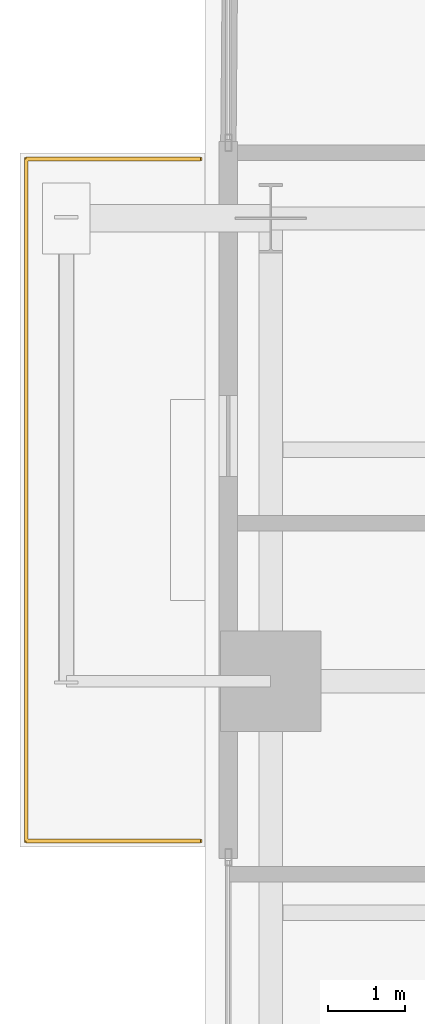
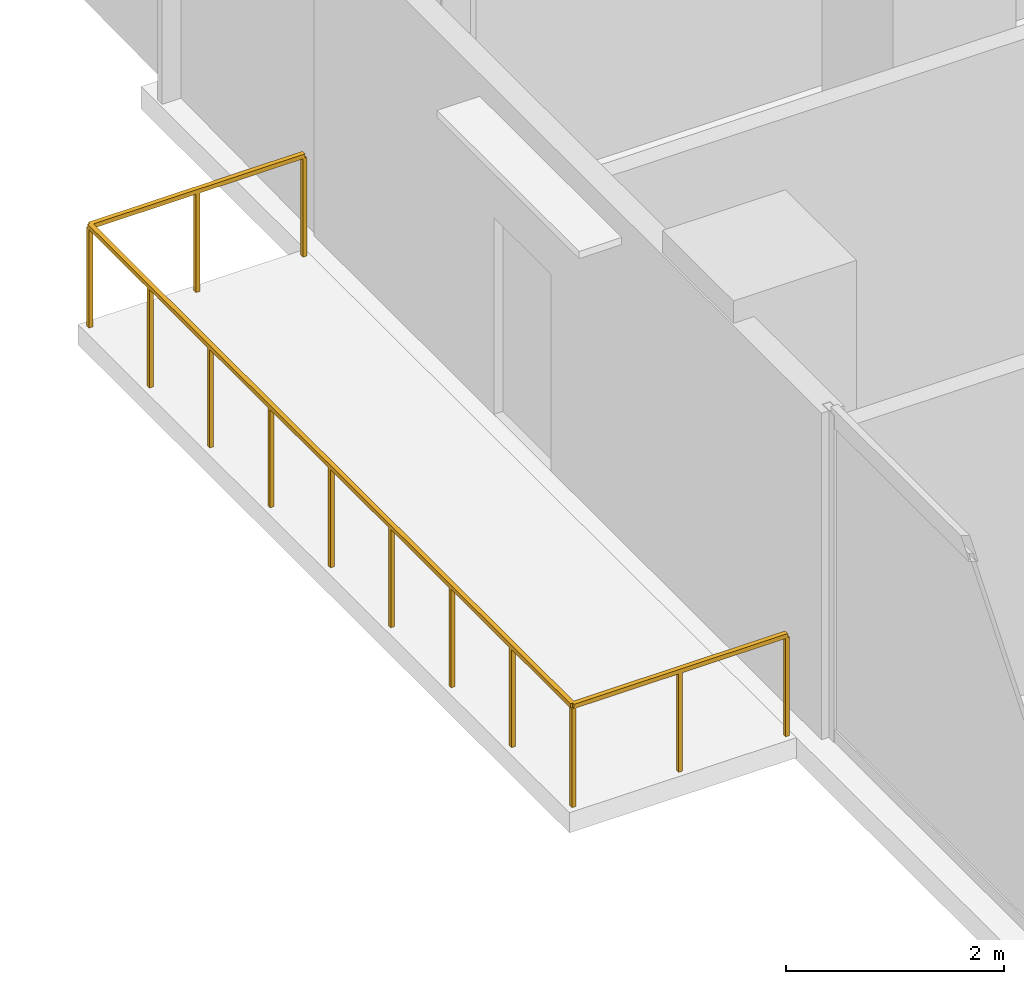
# One storey, part 27 of 27: 1 railing.
"""IFC4 building model written with IfcOpenShell, lengths in metres."""

from ifc_helpers import new_model, si_unit, direction, frame, origin, origin_2d, place, context, subcontext, project, spatial, rectangle, extrude, material, type_object, element, save


model = new_model("IFC4")

# Units and contexts
model_context = context("Model", 3, precision=1e-05, world=origin(), true_north=direction((0.0, 1.0)))
body_context = subcontext(model_context, "Body", "Model", "MODEL_VIEW")
ifc_project = project(units=[si_unit("LENGTHUNIT", "METRE"), si_unit("AREAUNIT", "SQUARE_METRE"), si_unit("VOLUMEUNIT", "CUBIC_METRE"), si_unit("PLANEANGLEUNIT", "RADIAN"), si_unit("MASSUNIT", "GRAM", prefix="KILO"), si_unit("THERMODYNAMICTEMPERATUREUNIT", "KELVIN"), si_unit("POWERUNIT", "WATT")], contexts=[model_context])

# Site, building, storey
site_placement = place(None, origin())
site = spatial("IfcSite", under=ifc_project, at=site_placement, CompositionType="ELEMENT")
building_placement = place(site_placement, origin())
building = spatial("IfcBuilding", under=site, at=building_placement, Name="Svarakhadi Broadcast Tower", CompositionType="ELEMENT")
storey_placement = place(building_placement, frame((0.0, 0.0, 71.39990234375)))
storey = spatial("IfcBuildingStorey", under=building, at=storey_placement, Name="L16", CompositionType="ELEMENT", Elevation=71.39990234375)

# Railing
ifc_material = material(Name="Laminated Structural SentryGlas Balustrade 25.5 mm", Category="glass")
railing_type = type_object("IfcRailingType", Name="Guard_Balcony_GR01", PredefinedType="BALUSTRADE", material=ifc_material)
railing_placement = place(storey_placement, frame((-0.06005859375, 33.080078125, 0.0)))
element("IfcRailing", 1, at=railing_placement, inside=storey, type_object=railing_type, Name="L16 West Tree Balcony Guard GR-05", PredefinedType="BALUSTRADE", context=body_context, shape_type="SweptSolid", body=[
    extrude(rectangle(XDim=0.048095703125, YDim=0.048095703125, at=origin_2d()), frame((0.0, 0.0, 1.1259765625), z_axis=(-1.0, 0.0, 0.0), x_axis=(0.0, -1.0, 0.0)), (0.0, 0.0, 1.0), 2.260009765625),
    extrude(rectangle(XDim=0.048095703125, YDim=0.048095703125, at=origin_2d()), frame((-2.260009765625, 0.0, 1.1259765625), z_axis=(0.0, 1.0, 0.0), x_axis=(-1.0, 0.0, 0.0)), (0.0, 0.0, 1.0), 8.83984375),
    extrude(rectangle(XDim=0.048095703125, YDim=0.048095703125, at=origin_2d()), frame((-2.260009765625, 8.83984375, 1.1259765625), z_axis=(1.0, 0.0, 0.0), x_axis=(0.0, 1.0, 0.0)), (0.0, 0.0, 1.0), 2.260009765625),
    extrude(rectangle(XDim=0.0419921875, YDim=0.0419921875, at=origin_2d()), origin(), (0.0, 0.0, 1.0), 1.101806640625),
    extrude(rectangle(XDim=0.0419921875, YDim=0.0419921875, at=origin_2d()), frame((-1.1298828125, 0.0, 0.0)), (0.0, 0.0, 1.0), 1.101806640625),
    extrude(rectangle(XDim=0.0419921875, YDim=0.0419921875, at=origin_2d()), frame((-2.260009765625, 0.0, 0.0)), (0.0, 0.0, 1.0), 1.101806640625),
    extrude(rectangle(XDim=0.0419921875, YDim=0.0419921875, at=origin_2d()), frame((-2.260009765625, 1.10498046875, 0.0)), (0.0, 0.0, 1.0), 1.101806640625),
    extrude(rectangle(XDim=0.0419921875, YDim=0.0419921875, at=origin_2d()), frame((-2.260009765625, 2.2099609375, 0.0)), (0.0, 0.0, 1.0), 1.101806640625),
    extrude(rectangle(XDim=0.0419921875, YDim=0.0419921875, at=origin_2d()), frame((-2.260009765625, 3.31494140625, 0.0)), (0.0, 0.0, 1.0), 1.101806640625),
    extrude(rectangle(XDim=0.0419921875, YDim=0.0419921875, at=origin_2d()), frame((-2.260009765625, 4.419921875, 0.0)), (0.0, 0.0, 1.0), 1.101806640625),
    extrude(rectangle(XDim=0.0419921875, YDim=0.0419921875, at=origin_2d()), frame((-2.260009765625, 5.52490234375, 0.0)), (0.0, 0.0, 1.0), 1.101806640625),
    extrude(rectangle(XDim=0.0419921875, YDim=0.0419921875, at=origin_2d()), frame((-2.260009765625, 6.6298828125, 0.0)), (0.0, 0.0, 1.0), 1.101806640625),
    extrude(rectangle(XDim=0.0419921875, YDim=0.0419921875, at=origin_2d()), frame((-2.260009765625, 7.73486328125, 0.0)), (0.0, 0.0, 1.0), 1.101806640625),
    extrude(rectangle(XDim=0.0419921875, YDim=0.0419921875, at=origin_2d()), frame((-2.260009765625, 8.83984375, 0.0)), (0.0, 0.0, 1.0), 1.101806640625),
    extrude(rectangle(XDim=0.0419921875, YDim=0.0419921875, at=origin_2d()), frame((-1.1298828125, 8.83984375, 0.0)), (0.0, 0.0, 1.0), 1.101806640625),
    extrude(rectangle(XDim=0.0419921875, YDim=0.0419921875, at=origin_2d()), frame((0.0, 8.83984375, 0.0)), (0.0, 0.0, 1.0), 1.101806640625),
])

save(model, "model.ifc")
